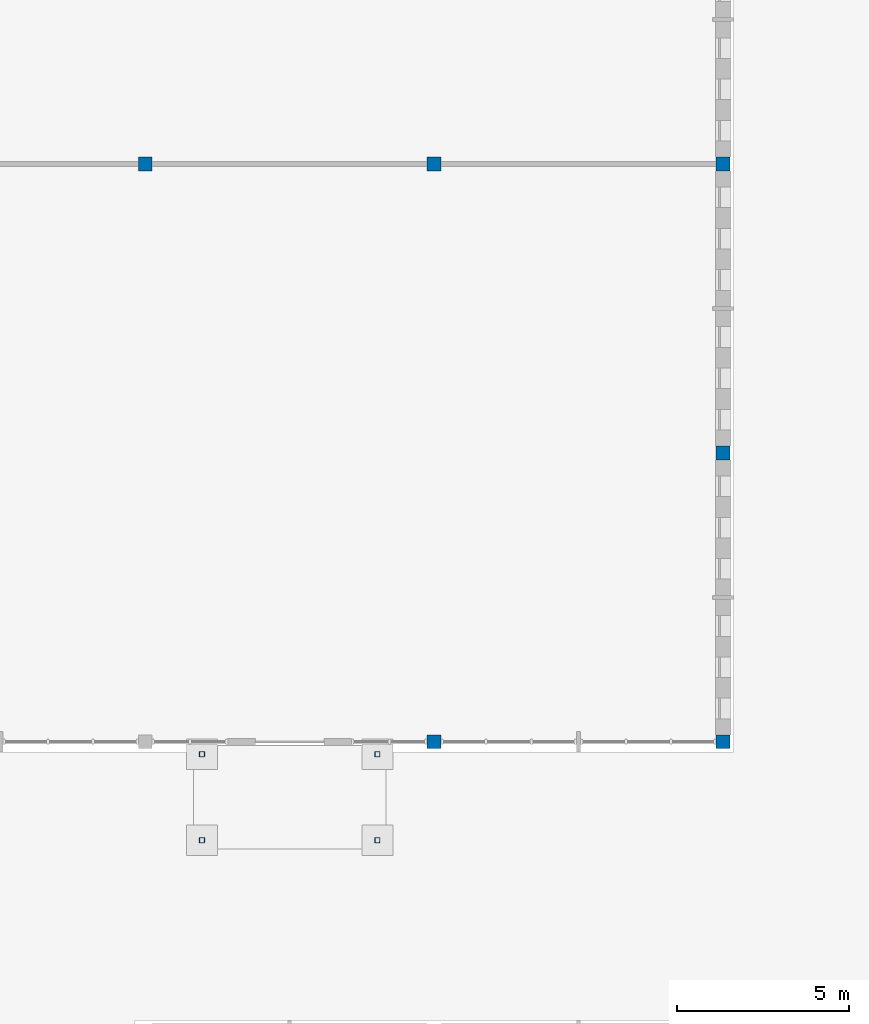
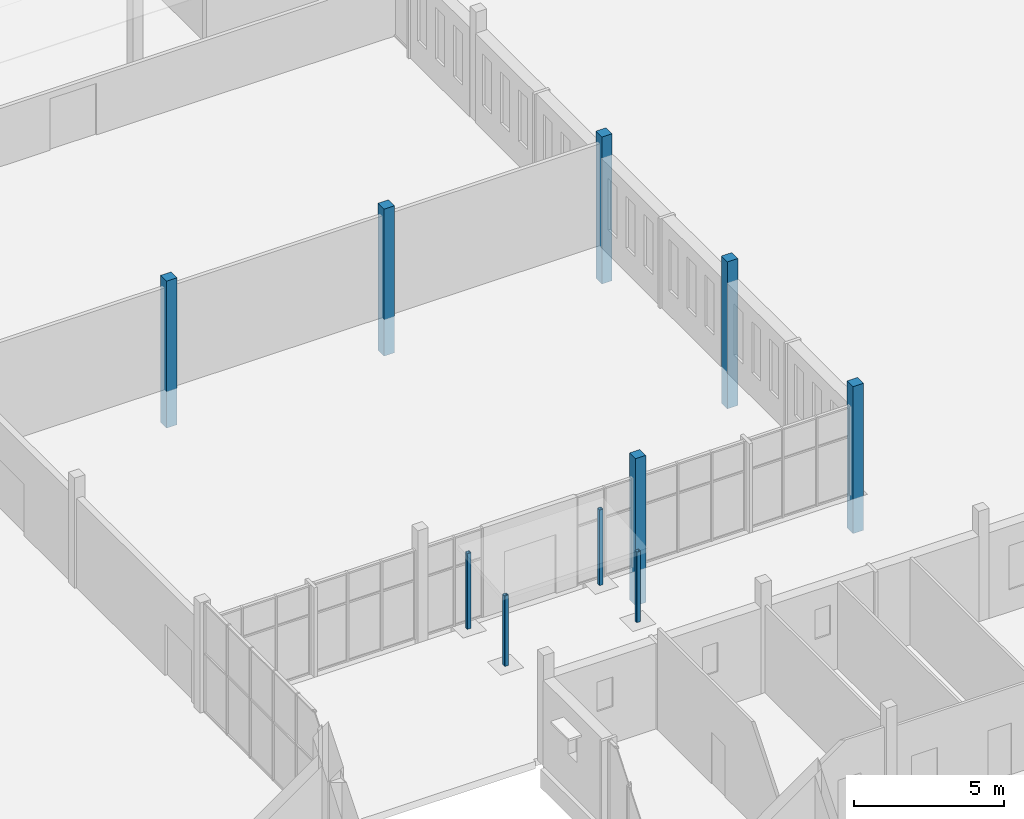
# One storey, part 6 of 60: 10 columns.
"""IFC4 building model written with IfcOpenShell, lengths in metres."""

from ifc_helpers import new_model, si_unit, direction, frame, origin, origin_2d, place, context, subcontext, project, spatial, rectangle, hollow_rectangle, extrude, material, material_profile, profile_set, type_object, element, save


model = new_model("IFC4")

# Units and contexts
model_context = context("Model", 3, precision=1e-05, world=origin(), true_north=direction((0.0, 1.0)))
body_context = subcontext(model_context, "Body", "Model", "MODEL_VIEW")
ifc_project = project(units=[si_unit("LENGTHUNIT", "METRE"), si_unit("AREAUNIT", "SQUARE_METRE"), si_unit("VOLUMEUNIT", "CUBIC_METRE"), si_unit("PLANEANGLEUNIT", "RADIAN"), si_unit("MASSUNIT", "GRAM", prefix="KILO")], contexts=[model_context])

# Site, building, storey
site_placement = place(None, origin())
site = spatial("IfcSite", under=ifc_project, at=site_placement, CompositionType="ELEMENT")
building_placement = place(site_placement, origin())
building = spatial("IfcBuilding", under=site, at=building_placement, Name="Fescue Hill Polytechnic", CompositionType="ELEMENT")
storey_placement = place(building_placement, frame((0.0, 0.0, 4.5)))
storey = spatial("IfcBuildingStorey", under=building, at=storey_placement, Name="L01", CompositionType="ELEMENT", Elevation=4.5)

# Columns
ifc_material_1 = material(Name="Steel 350W (350 MPa)", Category="steel")
ifc_material_profile_1 = material_profile(ifc_material_1, hollow_rectangle(XDim=0.15234375, YDim=0.15234375, WallThickness=0.009521484375, InnerFilletRadius=0.009521484375, OuterFilletRadius=0.01904296875, at=origin_2d()), Name="Canopy post HSS 152x152x9.5")
ifc_profile_set_1 = profile_set([ifc_material_profile_1], Name="Steel 350W (350 MPa)")
column_type_1 = type_object("IfcColumnType", Name="Canopy post HSS 152x152x9.5", PredefinedType="COLUMN", material=ifc_profile_set_1)
column_1_placement = place(storey_placement, frame((127.64990234375, 58.43994140625, 0.0), z_axis=(0.0, 0.0, 1.0), x_axis=(1.0, 0.0, 0.0)))
element("IfcColumn", 1, at=column_1_placement, inside=storey, type_object=column_type_1, Name="Canopy post V2", PredefinedType="COLUMN", context=body_context, shape_type="SweptSolid", body=[
    extrude(hollow_rectangle(XDim=0.15234375, YDim=0.15234375, WallThickness=0.009521484375, InnerFilletRadius=0.009521484375, OuterFilletRadius=0.01904296875, at=origin_2d()), origin(), (0.0, 0.0, 1.0), 3.0791015625),
])
column_2_placement = place(storey_placement, frame((127.64990234375, 55.93994140625, 0.0), z_axis=(0.0, 0.0, 1.0), x_axis=(1.0, 0.0, 0.0)))
element("IfcColumn", 2, at=column_2_placement, inside=storey, type_object=column_type_1, Name="Canopy post V2", PredefinedType="COLUMN", context=body_context, shape_type="SweptSolid", body=[
    extrude(hollow_rectangle(XDim=0.15234375, YDim=0.15234375, WallThickness=0.009521484375, InnerFilletRadius=0.009521484375, OuterFilletRadius=0.01904296875, at=origin_2d()), origin(), (0.0, 0.0, 1.0), 2.870849609375),
])
column_3_placement = place(storey_placement, frame((132.75, 58.43994140625, 0.0), z_axis=(0.0, 0.0, 1.0), x_axis=(1.0, 0.0, 0.0)))
element("IfcColumn", 3, at=column_3_placement, inside=storey, type_object=column_type_1, Name="Canopy post V2", PredefinedType="COLUMN", context=body_context, shape_type="SweptSolid", body=[
    extrude(hollow_rectangle(XDim=0.15234375, YDim=0.15234375, WallThickness=0.009521484375, InnerFilletRadius=0.009521484375, OuterFilletRadius=0.01904296875, at=origin_2d()), origin(), (0.0, 0.0, 1.0), 3.0791015625),
])
column_4_placement = place(storey_placement, frame((132.75, 55.93994140625, 0.0), z_axis=(0.0, 0.0, 1.0), x_axis=(1.0, 0.0, 0.0)))
element("IfcColumn", 4, at=column_4_placement, inside=storey, type_object=column_type_1, Name="Canopy post V2", PredefinedType="COLUMN", context=body_context, shape_type="SweptSolid", body=[
    extrude(hollow_rectangle(XDim=0.15234375, YDim=0.15234375, WallThickness=0.009521484375, InnerFilletRadius=0.009521484375, OuterFilletRadius=0.01904296875, at=origin_2d()), origin(), (0.0, 0.0, 1.0), 2.870849609375),
])
ifc_material_2 = material(Name="Concrete 40 MPa", Category="concrete")
ifc_material_profile_2 = material_profile(ifc_material_2, rectangle(XDim=0.39990234375, YDim=0.39990234375, at=origin_2d()), Name="RC 400x400")
ifc_profile_set_2 = profile_set([ifc_material_profile_2], Name="Concrete 40 MPa")
column_type_2 = type_object("IfcColumnType", Name="Column RC 400x400", PredefinedType="COLUMN", material=ifc_profile_set_2)
for number, where, z_axis, x_axis, name in (
    (5, (126.0, 75.60009765625, -1.5), (0.0, 0.0, 1.0), (1.0, 0.0, 0.0), "COL-L01-V2-008"),
    (6, (134.39990234375, 58.800048828125, -1.5), (0.0, 0.0, 1.0), (1.0, 0.0, 0.0), "COL-L01-V2-011"),
    (7, (134.39990234375, 75.60009765625, -1.5), (0.0, 0.0, 1.0), (1.0, 0.0, 0.0), "COL-L01-V2-012"),
    (8, (142.800048828125, 58.800048828125, -1.5), (0.0, 0.0, 1.0), (1.0, 0.0, 0.0), "COL-L01-V2-015"),
    (9, (142.800048828125, 67.199951171875, -1.5), (0.0, 0.0, 1.0), (1.0, 0.0, 0.0), "COL-L01-V2-016"),
    (10, (142.800048828125, 75.60009765625, -1.5), (0.0, 0.0, 1.0), (1.0, 0.0, 0.0), "COL-L01-V2-017"),
):
    element("IfcColumn", number, at=place(storey_placement, frame(where, z_axis=z_axis, x_axis=x_axis)), inside=storey, type_object=column_type_2, Name=name, PredefinedType="COLUMN", context=body_context, shape_type="SweptSolid", body=[
        extrude(rectangle(XDim=0.39990234375, YDim=0.39990234375, at=origin_2d()), origin(), (0.0, 0.0, 1.0), 6.0),
    ])

save(model, "model.ifc")
